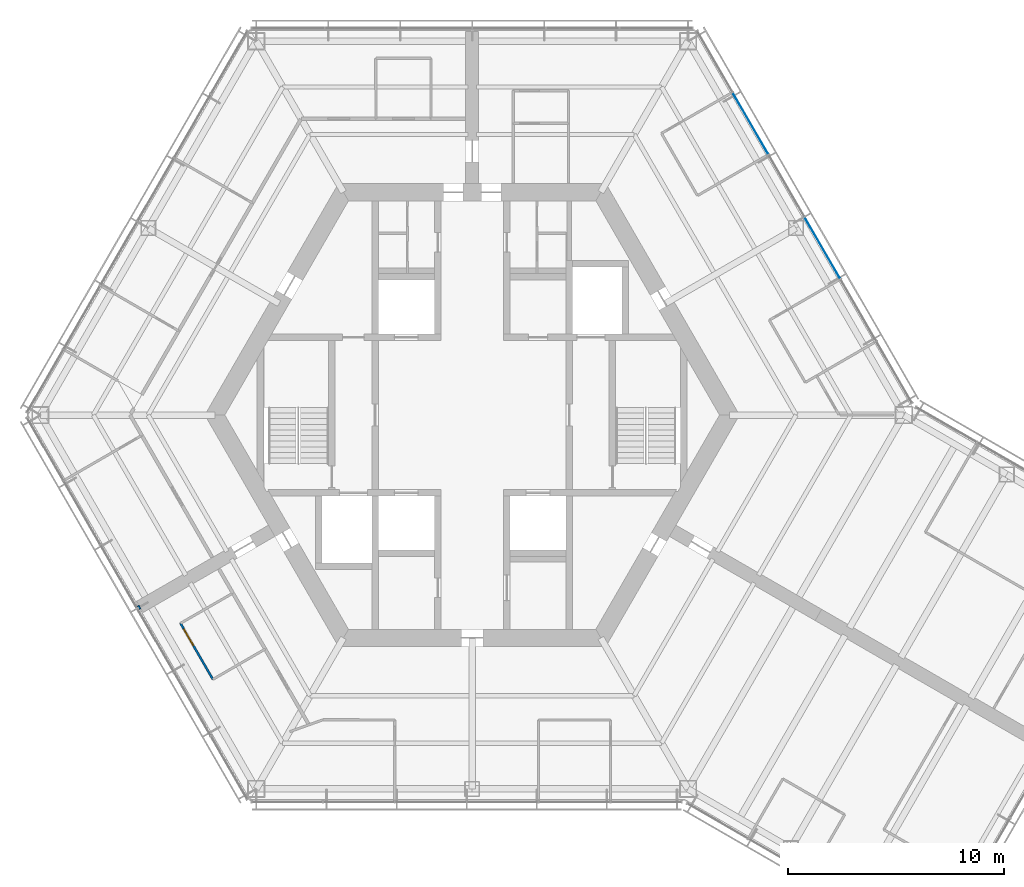
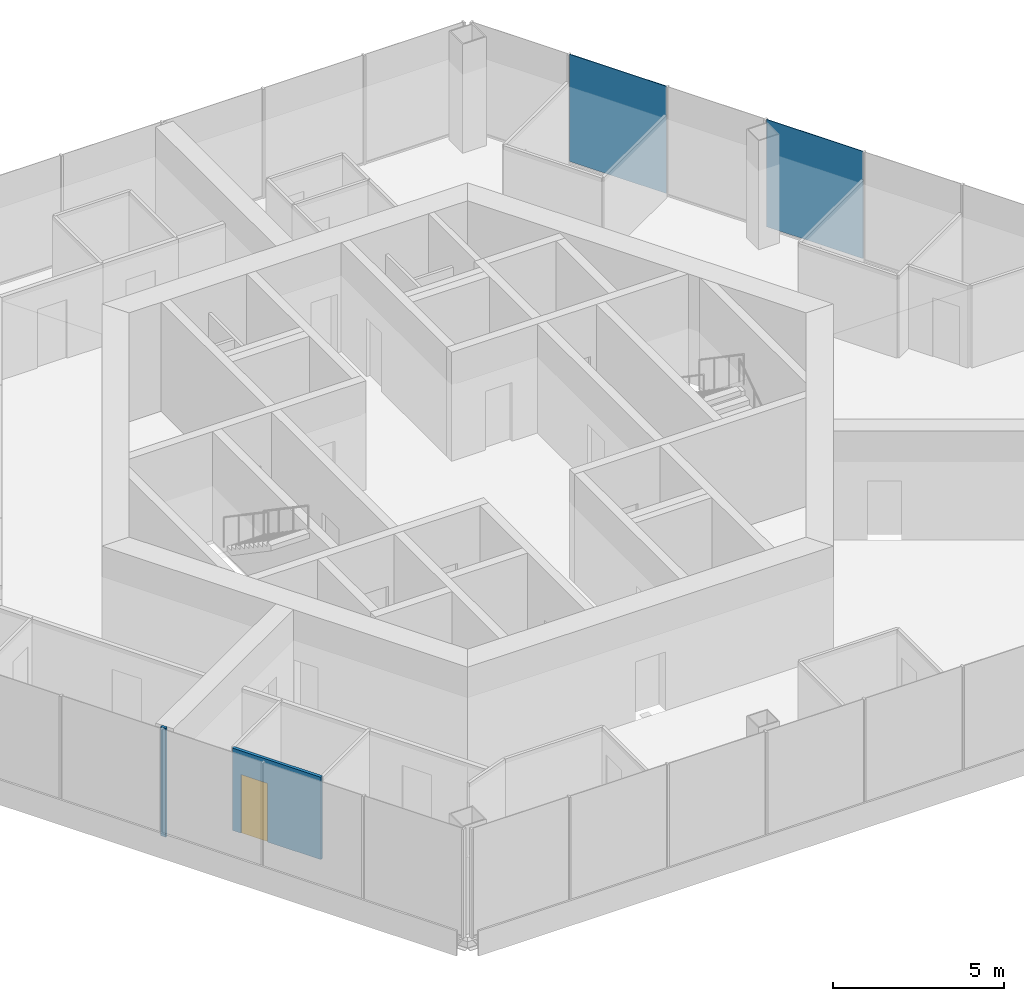
# One storey, part 9 of 16: 2 plates, 2 walls, 1 door, 1 opening, 1 element without a shape of its own.
"""IFC4 building model written with IfcOpenShell, lengths in metres."""

from ifc_helpers import new_model, si_unit, direction, frame, frame_2d, origin, origin_2d, place, context, subcontext, project, spatial, rectangle, extrude, material, layer, layer_set, type_object, element, fill, aggregate, save


model = new_model("IFC4")

# Units and contexts
model_context = context("Model", 3, precision=1e-05, world=origin(), true_north=direction((0.0, 1.0)))
body_context = subcontext(model_context, "Body", "Model", "MODEL_VIEW")
ifc_project = project(units=[si_unit("LENGTHUNIT", "METRE"), si_unit("AREAUNIT", "SQUARE_METRE"), si_unit("VOLUMEUNIT", "CUBIC_METRE"), si_unit("PLANEANGLEUNIT", "RADIAN"), si_unit("MASSUNIT", "GRAM", prefix="KILO")], contexts=[model_context])

# Site, building, storey
site_placement = place(None, origin())
site = spatial("IfcSite", under=ifc_project, at=site_placement, CompositionType="ELEMENT")
building_placement = place(site_placement, origin())
building = spatial("IfcBuilding", under=site, at=building_placement, Name="Kasaneha Research Tower", CompositionType="ELEMENT")
storey_placement = place(building_placement, frame((0.0, 0.0, 255.699951171875)))
storey = spatial("IfcBuildingStorey", under=building, at=storey_placement, Name="L64", CompositionType="ELEMENT", Elevation=255.699951171875)

# Curtain wall, plates
ifc_material_1 = material(Name="Glass and aluminium", Category="aluminium")
curtain_wall_type = type_object("IfcCurtainWallType", Name="High-rise office curtain wall", PredefinedType="USERDEFINED", material=ifc_material_1)
curtain_wall_placement = place(storey_placement, origin())
curtain_wall = element("IfcCurtainWall", 1, at=curtain_wall_placement, inside=storey, type_object=curtain_wall_type, Name="CW-O3 L64 run 01a", ObjectType="UNITISED CURTAIN WALL", PredefinedType="USERDEFINED")
ifc_material_2 = material(Name="Laminated double glazing", Category="glass")
ifc_layer_1 = layer(ifc_material_2, 0.02392578125)
ifc_layer_set_1 = layer_set([ifc_layer_1], Name="CW-O3 glazed panel")
plate_type = type_object("IfcPlateType", Name="CW-O3 glazed panel", PredefinedType="CURTAIN_PANEL", material=ifc_layer_set_1)
plate_1_placement = place(storey_placement, frame((16.2255859375, 7.737548828125, 0.06005859375), z_axis=(0.0, 0.0, 1.0), x_axis=(-0.499999979232, 0.866025415775, 0.0)))
plate_1 = element("IfcPlate", 2, at=plate_1_placement, type_object=plate_type, Name="CW-O3 panel 3", PredefinedType="CURTAIN_PANEL", context=body_context, shape_type="SweptSolid", body=[
    extrude(rectangle(XDim=3.27099609375, YDim=0.02392578125, at=origin_2d()), origin(), (0.0, 0.0, 1.0), 3.840087890625),
])
plate_2_placement = place(storey_placement, frame((12.89453125, 13.5068359375, 0.06005859375), z_axis=(0.0, 0.0, 1.0), x_axis=(-0.499999979232, 0.866025415775, 0.0)))
plate_2 = element("IfcPlate", 3, at=plate_2_placement, type_object=plate_type, Name="CW-O3 panel 5", PredefinedType="CURTAIN_PANEL", context=body_context, shape_type="SweptSolid", body=[
    extrude(rectangle(XDim=3.27099609375, YDim=0.02392578125, at=origin_2d()), origin(), (0.0, 0.0, 1.0), 3.840087890625),
])
aggregate(curtain_wall, [plate_1, plate_2])

# Wall, opening, door
ifc_material_3 = material(Name="Gypsum board on steel studs, one layer each side", Category="steel")
ifc_layer_2 = layer(ifc_material_3, 0.10009765625)
ifc_layer_set_2 = layer_set([ifc_layer_2], Name="Office partition 100")
wall_type_1 = type_object("IfcWallType", Name="Office partition 100", PredefinedType="PARTITIONING", material=ifc_layer_set_2)
wall_1_placement = place(storey_placement, frame((-12.010986328125, -12.24609375, 0.0), z_axis=(0.0, 0.0, 1.0), x_axis=(-0.50002537861, 0.866010750942, 0.0)))
wall_1 = element("IfcWall", 4, at=wall_1_placement, inside=storey, type_object=wall_type_1, Name="Office partition FBS05 L64", PredefinedType="PARTITIONING", context=body_context, shape_type="SweptSolid", body=[
    extrude(rectangle(XDim=2.999755859375, YDim=0.10009765625, at=frame_2d((1.5, 0.0))), origin(), (0.0, 0.0, 1.0), 2.949951171875),
])
opening_placement = place(wall_1_placement, frame((1.800048828125, 0.0, 0.0)))
opening = element("IfcOpeningElement", 5, at=opening_placement, cuts=wall_1, Name="Opening L64-D38", PredefinedType="OPENING", context=body_context, shape_type="SweptSolid", body=[
    extrude(rectangle(XDim=0.89990234375, YDim=2.10009765625, at=frame_2d((0.449951171875, 1.050048828125))), frame((0.0, 0.06005859375, 0.0), z_axis=(0.0, -1.0, 0.0), x_axis=(1.0, 0.0, 0.0)), (0.0, 0.0, 1.0), 0.1201171875),
])
ifc_material_4 = material(Name="Timber veneer", Category="wood")
door_type = type_object("IfcDoorType", Name="Office door 900x2100", OperationType="SINGLE_SWING_LEFT", PredefinedType="DOOR", material=ifc_material_4)
door_placement = place(opening_placement, origin())
door = element("IfcDoor", 6, at=door_placement, inside=storey, type_object=door_type, Name="Pantry door L64-D38", OperationType="SINGLE_SWING_RIGHT", OverallHeight=2.10009765625, OverallWidth=0.89990234375, PredefinedType="DOOR", context=body_context, shape_type="SweptSolid", body=[
    extrude(rectangle(XDim=0.89990234375, YDim=2.10009765625, at=frame_2d((0.449951171875, 1.050048828125))), frame((0.0, 0.02490234375, 0.0), z_axis=(0.0, -1.0, 0.0), x_axis=(1.0, 0.0, 0.0)), (0.0, 0.0, 1.0), 0.050048828125),
])
fill(opening, door)

# Wall
ifc_material_5 = material(Name="Gypsum board on steel studs, two layers each side", Category="steel")
ifc_layer_3 = layer(ifc_material_5, 0.175048828125)
ifc_layer_set_3 = layer_set([ifc_layer_3], Name="Tenancy fire partition 175")
wall_type_2 = type_object("IfcWallType", Name="Tenancy fire partition 175", PredefinedType="PARTITIONING", material=ifc_layer_set_3)
wall_2_placement = place(storey_placement, frame((-15.3896484375, -8.88525390625, 0.0), z_axis=(0.0, 0.0, 1.0), x_axis=(-0.866472036435, -0.499225610396, 0.0)))
element("IfcWall", 7, at=wall_2_placement, inside=storey, type_object=wall_type_2, Name="Spine wall closer SW4-600 L64", PredefinedType="PARTITIONING", context=body_context, shape_type="SweptSolid", body=[
    extrude(rectangle(XDim=0.085205078125, YDim=0.175048828125, at=frame_2d((0.04248046875, 0.0))), origin(), (0.0, 0.0, 1.0), 3.900146484375),
])

save(model, "model.ifc")
